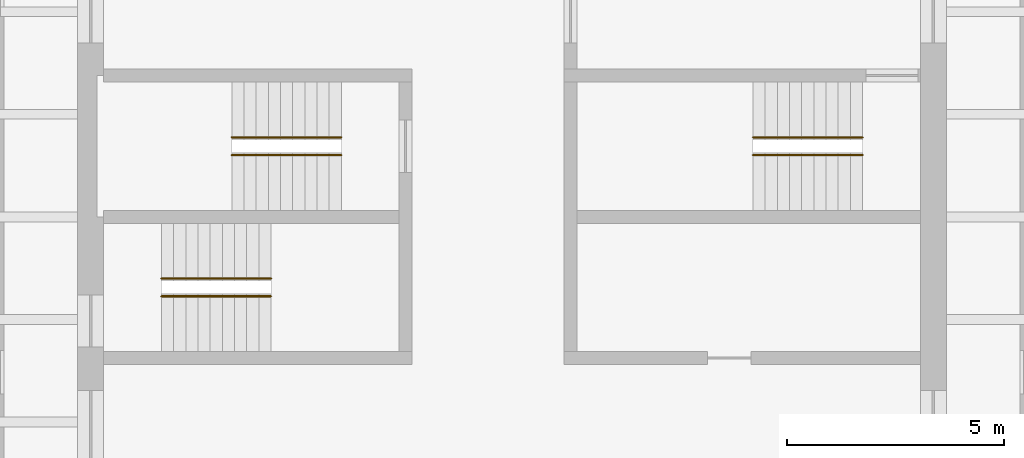
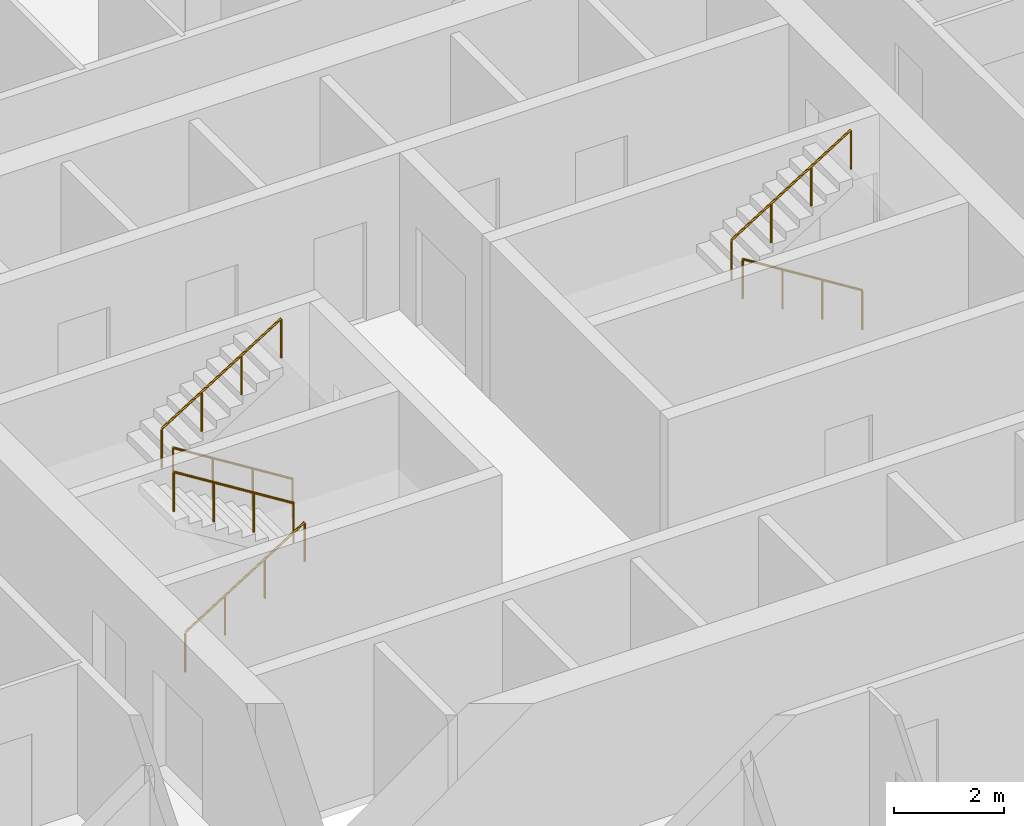
# One storey, part 9 of 9: 6 railings.
"""IFC4 building model written with IfcOpenShell, lengths in metres."""

from ifc_helpers import new_model, si_unit, direction, frame, origin, origin_2d, place, context, subcontext, project, spatial, circle, extrude, material, type_object, element, save


model = new_model("IFC4")

# Units and contexts
model_context = context("Model", 3, precision=1e-05, world=origin(), true_north=direction((0.0, 1.0)))
body_context = subcontext(model_context, "Body", "Model", "MODEL_VIEW")
ifc_project = project(units=[si_unit("LENGTHUNIT", "METRE"), si_unit("AREAUNIT", "SQUARE_METRE"), si_unit("VOLUMEUNIT", "CUBIC_METRE"), si_unit("PLANEANGLEUNIT", "RADIAN"), si_unit("MASSUNIT", "GRAM", prefix="KILO")], contexts=[model_context])

# Site, building, storey
site_placement = place(None, origin())
site = spatial("IfcSite", under=ifc_project, at=site_placement, CompositionType="ELEMENT")
building_placement = place(site_placement, origin())
building = spatial("IfcBuilding", under=site, at=building_placement, Name="Turquesa Mirador Hotel Tower", CompositionType="ELEMENT")
storey_placement = place(building_placement, frame((0.0, 0.0, 67.0)))
storey = spatial("IfcBuildingStorey", under=building, at=storey_placement, Name="L17", CompositionType="ELEMENT", Elevation=67.0)

# Railings
ifc_material = material(Name="Painted steel handrail", Category="steel")
railing_type = type_object("IfcRailingType", Name="HANDRAIL 900 STEEL", PredefinedType="HANDRAIL", material=ifc_material)
railing_1_placement = place(storey_placement, frame((51.070068359375, 46.419921875, 0.175048828125)))
element("IfcRailing", 1, at=railing_1_placement, inside=storey, type_object=railing_type, Name="Handrail ST1", PredefinedType="HANDRAIL", context=body_context, shape_type="SweptSolid", body=[
    extrude(circle(Radius=0.02392578125, at=origin_2d()), frame((0.0, 0.0, 0.8759765625), z_axis=(-0.848007534815, 0.0, 0.529984170421), x_axis=(0.0, -1.0, 0.0)), (0.0, 0.0, 1.0), 2.9716796875),
    extrude(circle(Radius=0.02099609375, at=origin_2d()), origin(), (0.0, 0.0, 1.0), 0.851806640625),
    extrude(circle(Radius=0.02099609375, at=origin_2d()), frame((-0.840087890625, 0.0, 0.52490234375)), (0.0, 0.0, 1.0), 0.851806640625),
    extrude(circle(Radius=0.02099609375, at=origin_2d()), frame((-1.679931640625, 0.0, 1.050048828125)), (0.0, 0.0, 1.0), 0.851806640625),
    extrude(circle(Radius=0.02099609375, at=origin_2d()), frame((-2.52001953125, 0.0, 1.574951171875)), (0.0, 0.0, 1.0), 0.851806640625),
])
for number, where, name in (
    (2, (48.550048828125, 46.830078125, 1.925048828125), "Handrail ST1"),
    (3, (46.929931640625, 43.169921875, 0.175048828125), "Handrail ST2"),
):
    element("IfcRailing", number, at=place(storey_placement, frame(where)), inside=storey, type_object=railing_type, Name=name, PredefinedType="HANDRAIL", context=body_context, shape_type="SweptSolid", body=[
        extrude(circle(Radius=0.02392578125, at=origin_2d()), frame((0.0, 0.0, 0.8759765625), z_axis=(0.848007534815, 0.0, 0.529984170421), x_axis=(0.0, 1.0, 0.0)), (0.0, 0.0, 1.0), 2.9716796875),
        extrude(circle(Radius=0.02099609375, at=origin_2d()), origin(), (0.0, 0.0, 1.0), 0.851806640625),
        extrude(circle(Radius=0.02099609375, at=origin_2d()), frame((0.840087890625, 0.0, 0.52490234375)), (0.0, 0.0, 1.0), 0.851806640625),
        extrude(circle(Radius=0.02099609375, at=origin_2d()), frame((1.679931640625, 0.0, 1.050048828125)), (0.0, 0.0, 1.0), 0.851806640625),
        extrude(circle(Radius=0.02099609375, at=origin_2d()), frame((2.52001953125, 0.0, 1.574951171875)), (0.0, 0.0, 1.0), 0.851806640625),
    ])
for number, where, name in (
    (4, (49.449951171875, 43.580078125, 1.925048828125), "Handrail ST2"),
    (5, (63.070068359375, 46.419921875, 0.175048828125), "Handrail ST3"),
):
    element("IfcRailing", number, at=place(storey_placement, frame(where)), inside=storey, type_object=railing_type, Name=name, PredefinedType="HANDRAIL", context=body_context, shape_type="SweptSolid", body=[
        extrude(circle(Radius=0.02392578125, at=origin_2d()), frame((0.0, 0.0, 0.8759765625), z_axis=(-0.848007534815, 0.0, 0.529984170421), x_axis=(0.0, -1.0, 0.0)), (0.0, 0.0, 1.0), 2.9716796875),
        extrude(circle(Radius=0.02099609375, at=origin_2d()), origin(), (0.0, 0.0, 1.0), 0.851806640625),
        extrude(circle(Radius=0.02099609375, at=origin_2d()), frame((-0.840087890625, 0.0, 0.52490234375)), (0.0, 0.0, 1.0), 0.851806640625),
        extrude(circle(Radius=0.02099609375, at=origin_2d()), frame((-1.679931640625, 0.0, 1.050048828125)), (0.0, 0.0, 1.0), 0.851806640625),
        extrude(circle(Radius=0.02099609375, at=origin_2d()), frame((-2.52001953125, 0.0, 1.574951171875)), (0.0, 0.0, 1.0), 0.851806640625),
    ])
railing_2_placement = place(storey_placement, frame((60.550048828125, 46.830078125, 1.925048828125)))
element("IfcRailing", 6, at=railing_2_placement, inside=storey, type_object=railing_type, Name="Handrail ST3", PredefinedType="HANDRAIL", context=body_context, shape_type="SweptSolid", body=[
    extrude(circle(Radius=0.02392578125, at=origin_2d()), frame((0.0, 0.0, 0.8759765625), z_axis=(0.848007534815, 0.0, 0.529984170421), x_axis=(0.0, 1.0, 0.0)), (0.0, 0.0, 1.0), 2.9716796875),
    extrude(circle(Radius=0.02099609375, at=origin_2d()), origin(), (0.0, 0.0, 1.0), 0.851806640625),
    extrude(circle(Radius=0.02099609375, at=origin_2d()), frame((0.840087890625, 0.0, 0.52490234375)), (0.0, 0.0, 1.0), 0.851806640625),
    extrude(circle(Radius=0.02099609375, at=origin_2d()), frame((1.679931640625, 0.0, 1.050048828125)), (0.0, 0.0, 1.0), 0.851806640625),
    extrude(circle(Radius=0.02099609375, at=origin_2d()), frame((2.52001953125, 0.0, 1.574951171875)), (0.0, 0.0, 1.0), 0.851806640625),
])

save(model, "model.ifc")
